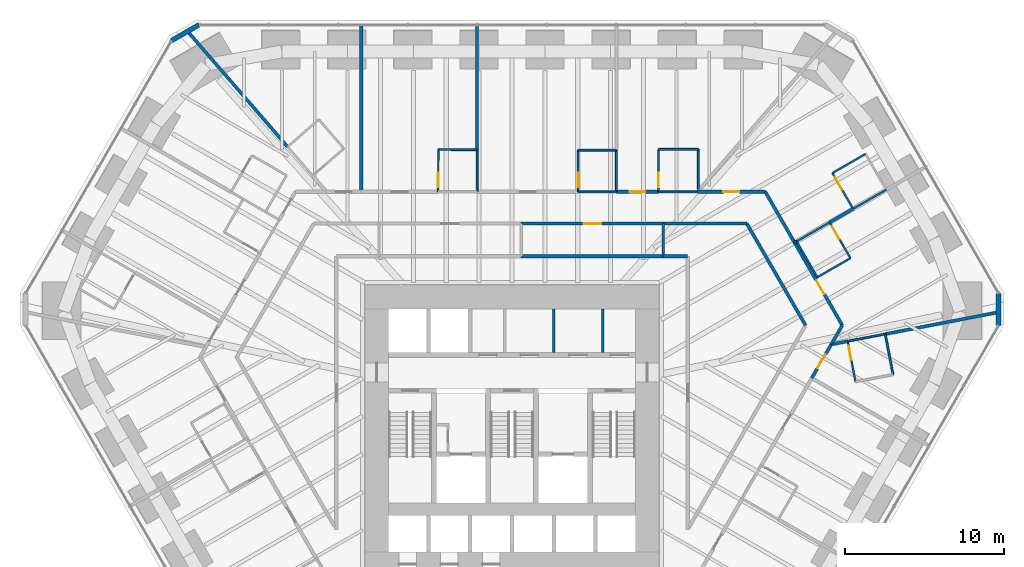
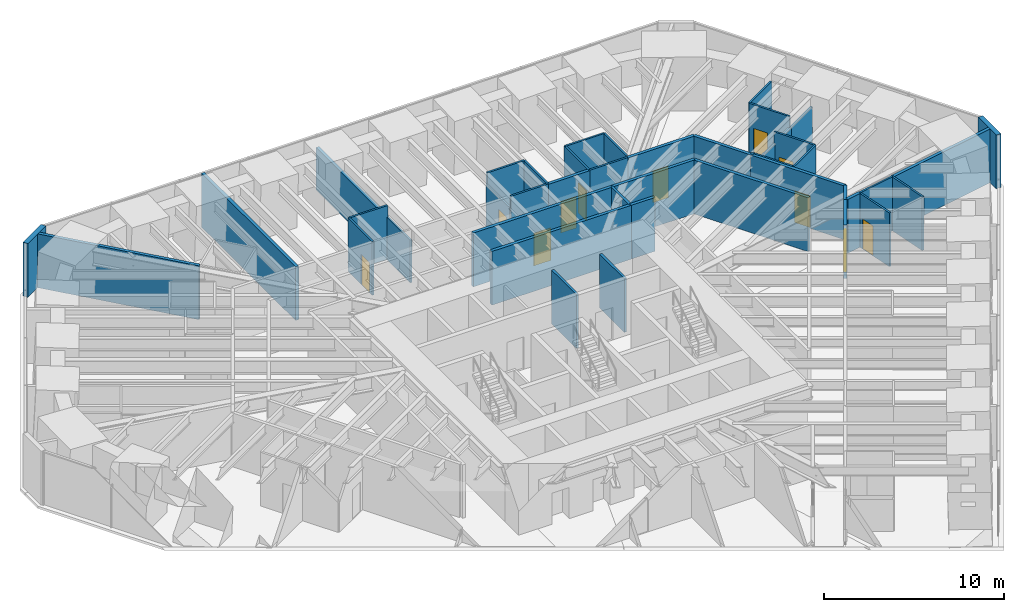
# One storey, part 15 of 17: 44 walls, 11 doors, 11 openings.
"""IFC4 building model written with IfcOpenShell, lengths in metres."""

from ifc_helpers import new_model, si_unit, direction, frame, frame_2d, origin, place, context, subcontext, project, spatial, rectangle, extrude, material, layer, layer_set, type_object, element, fill, save


model = new_model("IFC4")

# Units and contexts
model_context = context("Model", 3, precision=1e-05, world=origin(), true_north=direction((0.0, 1.0)))
body_context = subcontext(model_context, "Body", "Model", "MODEL_VIEW")
ifc_project = project(units=[si_unit("LENGTHUNIT", "METRE"), si_unit("AREAUNIT", "SQUARE_METRE"), si_unit("VOLUMEUNIT", "CUBIC_METRE"), si_unit("PLANEANGLEUNIT", "RADIAN"), si_unit("MASSUNIT", "GRAM", prefix="KILO")], contexts=[model_context])

# Site, building, storey
site_placement = place(None, origin())
site = spatial("IfcSite", under=ifc_project, at=site_placement, CompositionType="ELEMENT")
building_placement = place(site_placement, origin())
building = spatial("IfcBuilding", under=site, at=building_placement, Name="Sandreach Pilgrim Tower", CompositionType="ELEMENT")
storey_placement = place(building_placement, frame((0.0, 0.0, 64.800048828125)))
storey = spatial("IfcBuildingStorey", under=building, at=storey_placement, Name="L15", CompositionType="ELEMENT", Elevation=64.800048828125)

# Walls
ifc_material_1 = material(Name="Gypsum board on steel studs", Category="steel")
ifc_layer_1 = layer(ifc_material_1, 0.14990234375)
ifc_layer_set_1 = layer_set([ifc_layer_1], Name="Back of house wall 150")
wall_type_1 = type_object("IfcWallType", Name="Back of house wall 150", PredefinedType="PARTITIONING", material=ifc_layer_set_1)
wall_1_placement = place(storey_placement, frame((9.510009765625, 11.449951171875, 0.0), z_axis=(0.0, 0.0, 1.0), x_axis=(0.0, -1.0, 0.0)))
element("IfcWall", 1, at=wall_1_placement, inside=storey, type_object=wall_type_1, Name="Back of house wall L15-119", PredefinedType="PARTITIONING", context=body_context, shape_type="SweptSolid", body=[
    extrude(rectangle(XDim=2.050048828125, YDim=0.14990234375, at=frame_2d((1.02490234375, 0.0))), origin(), (0.0, 0.0, 1.0), 3.639892578125),
])
for number, where, z_axis, x_axis, name in (
    (2, (2.625, 3.35009765625, 0.0), (0.0, 0.0, 1.0), (0.0, 1.0, 0.0), "Core room partition L15 2"),
    (3, (5.699951171875, 3.35009765625, 0.0), (0.0, 0.0, 1.0), (0.0, 1.0, 0.0), "Core room partition L15 3"),
):
    element("IfcWall", number, at=place(storey_placement, frame(where, z_axis=z_axis, x_axis=x_axis)), inside=storey, type_object=wall_type_1, Name=name, PredefinedType="PARTITIONING", context=body_context, shape_type="SweptSolid", body=[
        extrude(rectangle(XDim=2.75, YDim=0.14990234375, at=frame_2d((1.375, 0.0))), origin(), (0.0, 0.0, 1.0), 3.639892578125),
    ])

# Wall, opening, door
ifc_material_2 = material(Name="Moisture-resistant gypsum board on steel studs", Category="steel")
ifc_layer_2 = layer(ifc_material_2, 0.1201171875)
ifc_layer_set_2 = layer_set([ifc_layer_2], Name="Bathroom partition 120")
wall_type_2 = type_object("IfcWallType", Name="Bathroom partition 120", PredefinedType="PARTITIONING", material=ifc_layer_set_2)
wall_2_placement = place(storey_placement, frame((-4.6298828125, 16.110107421875, 0.0), z_axis=(0.0, 0.0, 1.0), x_axis=(-0.003762822113, -0.99999292056, 0.0)))
wall_2 = element("IfcWall", 4, at=wall_2_placement, inside=storey, type_object=wall_type_2, Name="Bathroom partition L15-068", PredefinedType="PARTITIONING", context=body_context, shape_type="SweptSolid", body=[
    extrude(rectangle(XDim=2.66015625, YDim=0.1201171875, at=frame_2d((1.330078125, 0.0))), origin(), (0.0, 0.0, 1.0), 3.639892578125),
])
opening_1_placement = place(wall_2_placement, frame((1.4599609375, 0.0, 0.0)))
opening_1 = element("IfcOpeningElement", 5, at=opening_1_placement, cuts=wall_2, Name="Opening D09-02B", PredefinedType="OPENING", context=body_context, shape_type="SweptSolid", body=[
    extrude(rectangle(XDim=0.89990234375, YDim=2.030029296875, at=frame_2d((0.449951171875, 1.01513671875))), frame((0.0, 0.06005859375, 0.0), z_axis=(0.0, -1.0, 0.0), x_axis=(1.0, 0.0, 0.0)), (0.0, 0.0, 1.0), 0.1201171875),
])
ifc_material_3 = material(Name="Timber door, steel frame", Category="steel")
door_type_1 = type_object("IfcDoorType", Name="Bathroom door", OperationType="SINGLE_SWING_LEFT", PredefinedType="DOOR", material=ifc_material_3)
door_1_placement = place(opening_1_placement, origin())
door_1 = element("IfcDoor", 6, at=door_1_placement, inside=storey, type_object=door_type_1, Name="Door 1502B", OperationType="SINGLE_SWING_RIGHT", OverallHeight=2.030029296875, OverallWidth=0.89990234375, PredefinedType="DOOR", context=body_context, shape_type="SweptSolid", body=[
    extrude(rectangle(XDim=0.89990234375, YDim=2.030029296875, at=frame_2d((0.449951171875, 1.01513671875))), frame((0.0, 0.02490234375, 0.0), z_axis=(0.0, -1.0, 0.0), x_axis=(1.0, 0.0, 0.0)), (0.0, 0.0, 1.0), 0.050048828125),
])
fill(opening_1, door_1)

# Walls
wall_3_placement = place(storey_placement, frame((-2.18994140625, 16.10009765625, 0.0), z_axis=(0.0, 0.0, 1.0), x_axis=(-0.999991585011, 0.004102426955, 0.0)))
element("IfcWall", 7, at=wall_3_placement, inside=storey, type_object=wall_type_2, Name="Bathroom partition L15-080", PredefinedType="PARTITIONING", context=body_context, shape_type="SweptSolid", body=[
    extrude(rectangle(XDim=2.43994140625, YDim=0.1201171875, at=frame_2d((1.219970703125, 0.0))), origin(), (0.0, 0.0, 1.0), 3.639892578125),
])
wall_4_placement = place(storey_placement, frame((-2.18994140625, 16.10009765625, 0.0), z_axis=(0.0, 0.0, 1.0), x_axis=(0.0, -1.0, 0.0)))
element("IfcWall", 8, at=wall_4_placement, inside=storey, type_object=wall_type_2, Name="Bathroom partition L15-081", PredefinedType="PARTITIONING", context=body_context, shape_type="SweptSolid", body=[
    extrude(rectangle(XDim=2.650146484375, YDim=0.1201171875, at=frame_2d((1.3251953125, 0.0))), origin(), (0.0, 0.0, 1.0), 2.8779296875),
])

# Wall, opening, door
wall_5_placement = place(storey_placement, frame((4.159912109375, 16.070068359375, 0.0), z_axis=(0.0, 0.0, 1.0), x_axis=(0.0, -1.0, 0.0)))
wall_5 = element("IfcWall", 9, at=wall_5_placement, inside=storey, type_object=wall_type_2, Name="Bathroom partition L15-096", PredefinedType="PARTITIONING", context=body_context, shape_type="SweptSolid", body=[
    extrude(rectangle(XDim=2.6201171875, YDim=0.1201171875, at=frame_2d((1.31005859375, 0.0))), origin(), (0.0, 0.0, 1.0), 2.8779296875),
])
opening_2_placement = place(wall_5_placement, frame((1.419921875, 0.0, 0.0)))
opening_2 = element("IfcOpeningElement", 10, at=opening_2_placement, cuts=wall_5, Name="Opening D09-03B", PredefinedType="OPENING", context=body_context, shape_type="SweptSolid", body=[
    extrude(rectangle(XDim=0.89990234375, YDim=2.030029296875, at=frame_2d((0.449951171875, 1.01513671875))), frame((0.0, 0.06005859375, 0.0), z_axis=(0.0, -1.0, 0.0), x_axis=(1.0, 0.0, 0.0)), (0.0, 0.0, 1.0), 0.1201171875),
])
door_2_placement = place(opening_2_placement, origin())
door_2 = element("IfcDoor", 11, at=door_2_placement, inside=storey, type_object=door_type_1, Name="Door 1503B", OperationType="SINGLE_SWING_RIGHT", OverallHeight=2.030029296875, OverallWidth=0.89990234375, PredefinedType="DOOR", context=body_context, shape_type="SweptSolid", body=[
    extrude(rectangle(XDim=0.89990234375, YDim=2.030029296875, at=frame_2d((0.449951171875, 1.01513671875))), frame((0.0, 0.02490234375, 0.0), z_axis=(0.0, -1.0, 0.0), x_axis=(1.0, 0.0, 0.0)), (0.0, 0.0, 1.0), 0.050048828125),
])
fill(opening_2, door_2)

# Walls
for number, where, z_axis, x_axis, name in (
    (12, (6.56005859375, 13.449951171875, 0.0), (0.0, 0.0, 1.0), (-1.0, 0.0, 0.0), "Bathroom partition L15-104"),
    (13, (6.56005859375, 16.070068359375, 0.0), (0.0, 0.0, 1.0), (-1.0, 0.0, 0.0), "Bathroom partition L15-105"),
):
    element("IfcWall", number, at=place(storey_placement, frame(where, z_axis=z_axis, x_axis=x_axis)), inside=storey, type_object=wall_type_2, Name=name, PredefinedType="PARTITIONING", context=body_context, shape_type="SweptSolid", body=[
        extrude(rectangle(XDim=2.400146484375, YDim=0.1201171875, at=frame_2d((1.2001953125, 0.0))), origin(), (0.0, 0.0, 1.0), 3.639892578125),
    ])
wall_6_placement = place(storey_placement, frame((6.56005859375, 16.070068359375, 0.0), z_axis=(0.0, 0.0, 1.0), x_axis=(0.0, -1.0, 0.0)))
element("IfcWall", 14, at=wall_6_placement, inside=storey, type_object=wall_type_2, Name="Bathroom partition L15-106", PredefinedType="PARTITIONING", context=body_context, shape_type="SweptSolid", body=[
    extrude(rectangle(XDim=2.6201171875, YDim=0.1201171875, at=frame_2d((1.31005859375, 0.0))), origin(), (0.0, 0.0, 1.0), 3.639892578125),
])

# Wall, opening, door
wall_7_placement = place(storey_placement, frame((9.2099609375, 16.1201171875, 0.0), z_axis=(0.0, 0.0, 1.0), x_axis=(0.0, -1.0, 0.0)))
wall_7 = element("IfcWall", 15, at=wall_7_placement, inside=storey, type_object=wall_type_2, Name="Bathroom partition L15-117", PredefinedType="PARTITIONING", context=body_context, shape_type="SweptSolid", body=[
    extrude(rectangle(XDim=2.670166015625, YDim=0.1201171875, at=frame_2d((1.3349609375, 0.0))), origin(), (0.0, 0.0, 1.0), 3.639892578125),
])
opening_3_placement = place(wall_7_placement, frame((1.469970703125, 0.0, 0.0)))
opening_3 = element("IfcOpeningElement", 16, at=opening_3_placement, cuts=wall_7, Name="Opening D09-04B", PredefinedType="OPENING", context=body_context, shape_type="SweptSolid", body=[
    extrude(rectangle(XDim=0.89990234375, YDim=2.030029296875, at=frame_2d((0.449951171875, 1.01513671875))), frame((0.0, 0.06005859375, 0.0), z_axis=(0.0, -1.0, 0.0), x_axis=(1.0, 0.0, 0.0)), (0.0, 0.0, 1.0), 0.1201171875),
])
door_3_placement = place(opening_3_placement, origin())
door_3 = element("IfcDoor", 17, at=door_3_placement, inside=storey, type_object=door_type_1, Name="Door 1504B", OperationType="SINGLE_SWING_RIGHT", OverallHeight=2.030029296875, OverallWidth=0.89990234375, PredefinedType="DOOR", context=body_context, shape_type="SweptSolid", body=[
    extrude(rectangle(XDim=0.89990234375, YDim=2.030029296875, at=frame_2d((0.449951171875, 1.01513671875))), frame((0.0, 0.02490234375, 0.0), z_axis=(0.0, -1.0, 0.0), x_axis=(1.0, 0.0, 0.0)), (0.0, 0.0, 1.0), 0.050048828125),
])
fill(opening_3, door_3)

# Walls
wall_8_placement = place(storey_placement, frame((11.64990234375, 13.449951171875, 0.0), z_axis=(0.0, 0.0, 1.0), x_axis=(-1.0, 0.0, 0.0)))
element("IfcWall", 18, at=wall_8_placement, inside=storey, type_object=wall_type_2, Name="Bathroom partition L15-128", PredefinedType="PARTITIONING", context=body_context, shape_type="SweptSolid", body=[
    extrude(rectangle(XDim=2.43994140625, YDim=0.1201171875, at=frame_2d((1.219970703125, 0.0))), origin(), (0.0, 0.0, 1.0), 3.639892578125),
])
wall_9_placement = place(storey_placement, frame((11.7099609375, 13.60498046875, 0.0), z_axis=(0.0, 0.0, 1.0), x_axis=(0.0, 1.0, 0.0)))
element("IfcWall", 19, at=wall_9_placement, inside=storey, type_object=wall_type_2, Name="Bathroom partition L15-129", PredefinedType="PARTITIONING", context=body_context, shape_type="SweptSolid", body=[
    extrude(rectangle(XDim=2.51513671875, YDim=0.1201171875, at=frame_2d((1.257568359375, 0.0))), origin(), (0.0, 0.0, 1.0), 3.639892578125),
])
wall_10_placement = place(storey_placement, frame((11.7099609375, 16.1201171875, 0.0), z_axis=(0.0, 0.0, 1.0), x_axis=(-1.0, 0.0, 0.0)))
element("IfcWall", 20, at=wall_10_placement, inside=storey, type_object=wall_type_2, Name="Bathroom partition L15-130", PredefinedType="PARTITIONING", context=body_context, shape_type="SweptSolid", body=[
    extrude(rectangle(XDim=2.5, YDim=0.1201171875, at=frame_2d((1.25, 0.0))), origin(), (0.0, 0.0, 1.0), 3.639892578125),
])
wall_11_placement = place(storey_placement, frame((17.887939453125, 10.33349609375, 0.0), z_axis=(0.0, 0.0, 1.0), x_axis=(0.866473201492, 0.499223588281, 0.0)))
element("IfcWall", 21, at=wall_11_placement, inside=storey, type_object=wall_type_2, Name="Bathroom partition L15-145", PredefinedType="PARTITIONING", context=body_context, shape_type="SweptSolid", body=[
    extrude(rectangle(XDim=2.401123046875, YDim=0.1201171875, at=frame_2d((1.20068359375, 0.0))), origin(), (0.0, 0.0, 1.0), 2.860107421875),
])
wall_12_placement = place(storey_placement, frame((17.889892578125, 10.330078125, 0.0), z_axis=(0.0, 0.0, 1.0), x_axis=(0.500291685314, -0.865856933682, 0.0)))
element("IfcWall", 22, at=wall_12_placement, inside=storey, type_object=wall_type_2, Name="Bathroom partition L15-146", PredefinedType="PARTITIONING", context=body_context, shape_type="SweptSolid", body=[
    extrude(rectangle(XDim=2.5986328125, YDim=0.1201171875, at=frame_2d((1.29931640625, 0.0))), origin(), (0.0, 0.0, 1.0), 3.639892578125),
])
wall_13_placement = place(storey_placement, frame((19.18994140625, 8.080078125, 0.0), z_axis=(0.0, 0.0, 1.0), x_axis=(0.866202511239, 0.499693115345, 0.0)))
element("IfcWall", 23, at=wall_13_placement, inside=storey, type_object=wall_type_2, Name="Bathroom partition L15-150", PredefinedType="PARTITIONING", context=body_context, shape_type="SweptSolid", body=[
    extrude(rectangle(XDim=2.4013671875, YDim=0.1201171875, at=frame_2d((1.20068359375, 0.0))), origin(), (0.0, 0.0, 1.0), 3.639892578125),
])

# Wall, opening, door
wall_14_placement = place(storey_placement, frame((20.139892578125, 14.6298828125, 0.0), z_axis=(0.0, 0.0, 1.0), x_axis=(0.500291685314, -0.865856933682, 0.0)))
wall_14 = element("IfcWall", 24, at=wall_14_placement, inside=storey, type_object=wall_type_2, Name="Bathroom partition L15-153", PredefinedType="PARTITIONING", context=body_context, shape_type="SweptSolid", body=[
    extrude(rectangle(XDim=2.5986328125, YDim=0.1201171875, at=frame_2d((1.29931640625, 0.0))), origin(), (0.0, 0.0, 1.0), 3.639892578125),
])
opening_4_placement = place(wall_14_placement, frame((0.300048828125, 0.0, 0.0)))
opening_4 = element("IfcOpeningElement", 25, at=opening_4_placement, cuts=wall_14, Name="Opening D09-05B", PredefinedType="OPENING", context=body_context, shape_type="SweptSolid", body=[
    extrude(rectangle(XDim=0.89990234375, YDim=2.030029296875, at=frame_2d((0.449951171875, 1.01513671875))), frame((0.0, 0.06005859375, 0.0), z_axis=(0.0, -1.0, 0.0), x_axis=(1.0, 0.0, 0.0)), (0.0, 0.0, 1.0), 0.1201171875),
])
door_4_placement = place(opening_4_placement, origin())
door_4 = element("IfcDoor", 26, at=door_4_placement, inside=storey, type_object=door_type_1, Name="Door 1505B", OperationType="SINGLE_SWING_LEFT", OverallHeight=2.030029296875, OverallWidth=0.89990234375, PredefinedType="DOOR", context=body_context, shape_type="SweptSolid", body=[
    extrude(rectangle(XDim=0.89990234375, YDim=2.030029296875, at=frame_2d((0.449951171875, 1.01513671875))), frame((0.0, 0.02490234375, 0.0), z_axis=(0.0, -1.0, 0.0), x_axis=(1.0, 0.0, 0.0)), (0.0, 0.0, 1.0), 0.050048828125),
])
fill(opening_4, door_4)

wall_15_placement = place(storey_placement, frame((21.10009765625, 4.06005859375, 0.0), z_axis=(0.0, 0.0, 1.0), x_axis=(0.188697442844, -0.982035271802, 0.0)))
wall_15 = element("IfcWall", 27, at=wall_15_placement, inside=storey, type_object=wall_type_2, Name="Bathroom partition L15-155", PredefinedType="PARTITIONING", context=body_context, shape_type="SweptSolid", body=[
    extrude(rectangle(XDim=2.5966796875, YDim=0.1201171875, at=frame_2d((1.29833984375, 0.0))), origin(), (0.0, 0.0, 1.0), 3.639892578125),
])
opening_5_placement = place(wall_15_placement, frame((0.300048828125, 0.0, 0.0)))
opening_5 = element("IfcOpeningElement", 28, at=opening_5_placement, cuts=wall_15, Name="Opening D09-07B", PredefinedType="OPENING", context=body_context, shape_type="SweptSolid", body=[
    extrude(rectangle(XDim=0.89990234375, YDim=2.030029296875, at=frame_2d((0.449951171875, 1.01513671875))), frame((0.0, 0.06005859375, 0.0), z_axis=(0.0, -1.0, 0.0), x_axis=(1.0, 0.0, 0.0)), (0.0, 0.0, 1.0), 0.1201171875),
])
door_5_placement = place(opening_5_placement, origin())
door_5 = element("IfcDoor", 29, at=door_5_placement, inside=storey, type_object=door_type_1, Name="Door 1507B", OperationType="SINGLE_SWING_LEFT", OverallHeight=2.030029296875, OverallWidth=0.89990234375, PredefinedType="DOOR", context=body_context, shape_type="SweptSolid", body=[
    extrude(rectangle(XDim=0.89990234375, YDim=2.030029296875, at=frame_2d((0.449951171875, 1.01513671875))), frame((0.0, 0.02490234375, 0.0), z_axis=(0.0, -1.0, 0.0), x_axis=(1.0, 0.0, 0.0)), (0.0, 0.0, 1.0), 0.050048828125),
])
fill(opening_5, door_5)

# Wall
wall_16_placement = place(storey_placement, frame((21.099853515625, 4.06005859375, 0.0), z_axis=(0.0, 0.0, 1.0), x_axis=(0.982307423658, 0.187275533444, 0.0)))
element("IfcWall", 30, at=wall_16_placement, inside=storey, type_object=wall_type_2, Name="Bathroom partition L15-156", PredefinedType="PARTITIONING", context=body_context, shape_type="SweptSolid", body=[
    extrude(rectangle(XDim=2.402587890625, YDim=0.1201171875, at=frame_2d((1.201171875, 0.0))), origin(), (0.0, 0.0, 1.0), 3.639892578125),
])

# Wall, opening, door
wall_17_placement = place(storey_placement, frame((21.27001953125, 9.280029296875, 0.0), z_axis=(0.0, 0.0, 1.0), x_axis=(-0.500291685314, 0.865856933682, 0.0)))
wall_17 = element("IfcWall", 31, at=wall_17_placement, inside=storey, type_object=wall_type_2, Name="Bathroom partition L15-157", PredefinedType="PARTITIONING", context=body_context, shape_type="SweptSolid", body=[
    extrude(rectangle(XDim=2.5986328125, YDim=0.1201171875, at=frame_2d((1.29931640625, 0.0))), origin(), (0.0, 0.0, 1.0), 3.639892578125),
])
opening_6_placement = place(wall_17_placement, frame((1.398681640625, 0.0, 0.0)))
opening_6 = element("IfcOpeningElement", 32, at=opening_6_placement, cuts=wall_17, Name="Opening D09-06B", PredefinedType="OPENING", context=body_context, shape_type="SweptSolid", body=[
    extrude(rectangle(XDim=0.89990234375, YDim=2.030029296875, at=frame_2d((0.449951171875, 1.01513671875))), frame((0.0, 0.06005859375, 0.0), z_axis=(0.0, -1.0, 0.0), x_axis=(1.0, 0.0, 0.0)), (0.0, 0.0, 1.0), 0.1201171875),
])
door_6_placement = place(opening_6_placement, origin())
door_6 = element("IfcDoor", 33, at=door_6_placement, inside=storey, type_object=door_type_1, Name="Door 1506B", OperationType="SINGLE_SWING_RIGHT", OverallHeight=2.030029296875, OverallWidth=0.89990234375, PredefinedType="DOOR", context=body_context, shape_type="SweptSolid", body=[
    extrude(rectangle(XDim=0.89990234375, YDim=2.030029296875, at=frame_2d((0.449951171875, 1.01513671875))), frame((0.0, 0.02490234375, 0.0), z_axis=(0.0, -1.0, 0.0), x_axis=(1.0, 0.0, 0.0)), (0.0, 0.0, 1.0), 0.050048828125),
])
fill(opening_6, door_6)

# Walls
wall_18_placement = place(storey_placement, frame((21.4384765625, 12.3828125, 0.0), z_axis=(0.0, 0.0, 1.0), x_axis=(0.86683819662, 0.498589551516, 0.0)))
element("IfcWall", 34, at=wall_18_placement, inside=storey, type_object=wall_type_2, Name="Bathroom partition L15-158", PredefinedType="PARTITIONING", context=body_context, shape_type="SweptSolid", body=[
    extrude(rectangle(XDim=2.4013671875, YDim=0.1201171875, at=frame_2d((1.20068359375, 0.0))), origin(), (0.0, 0.0, 1.0), 2.860107421875),
])
wall_19_placement = place(storey_placement, frame((22.219970703125, 15.830078125, 0.0), z_axis=(0.0, 0.0, 1.0), x_axis=(-0.866177122335, -0.499737123639, 0.0)))
element("IfcWall", 35, at=wall_19_placement, inside=storey, type_object=wall_type_2, Name="Bathroom partition L15-160", PredefinedType="PARTITIONING", context=body_context, shape_type="SweptSolid", body=[
    extrude(rectangle(XDim=2.401123046875, YDim=0.1201171875, at=frame_2d((1.20068359375, 0.0))), origin(), (0.0, 0.0, 1.0), 3.639892578125),
])
wall_20_placement = place(storey_placement, frame((23.949951171875, 1.9599609375, 0.0), z_axis=(0.0, 0.0, 1.0), x_axis=(-0.188697442844, 0.982035271802, 0.0)))
element("IfcWall", 36, at=wall_20_placement, inside=storey, type_object=wall_type_2, Name="Bathroom partition L15-164", PredefinedType="PARTITIONING", context=body_context, shape_type="SweptSolid", body=[
    extrude(rectangle(XDim=2.5966796875, YDim=0.1201171875, at=frame_2d((1.29833984375, 0.0))), origin(), (0.0, 0.0, 1.0), 3.639892578125),
])

# Wall, opening, door
ifc_material_4 = material(Name="Gypsum board on steel studs, two layers each side", Category="steel")
ifc_layer_3 = layer(ifc_material_4, 0.199951171875)
ifc_layer_set_3 = layer_set([ifc_layer_3], Name="Corridor wall 200")
wall_type_3 = type_object("IfcWallType", Name="Corridor wall 200", PredefinedType="PARTITIONING", material=ifc_layer_set_3)
wall_21_placement = place(storey_placement, frame((0.580078125, 11.449951171875, 0.0), z_axis=(0.0, 0.0, 1.0), x_axis=(1.0, 0.0, 0.0)))
wall_21 = element("IfcWall", 37, at=wall_21_placement, inside=storey, type_object=wall_type_3, Name="Corridor wall L15-091", PredefinedType="PARTITIONING", context=body_context, shape_type="SweptSolid", body=[
    extrude(rectangle(XDim=8.929931640625, YDim=0.199951171875, at=frame_2d((4.46484375, 0.0))), origin(), (0.0, 0.0, 1.0), 3.639892578125),
])
opening_7_placement = place(wall_21_placement, frame((3.9150390625, 0.0, 0.0)))
opening_7 = element("IfcOpeningElement", 38, at=opening_7_placement, cuts=wall_21, Name="Opening D11H-M03", PredefinedType="OPENING", context=body_context, shape_type="SweptSolid", body=[
    extrude(rectangle(XDim=1.10009765625, YDim=2.199951171875, at=frame_2d((0.550048828125, 1.10009765625))), frame((0.0, 0.10009765625, 0.0), z_axis=(0.0, -1.0, 0.0), x_axis=(1.0, 0.0, 0.0)), (0.0, 0.0, 1.0), 0.199951171875),
])
ifc_material_5 = material(Name="Steel door and frame", Category="steel")
door_type_2 = type_object("IfcDoorType", Name="Back of house door", OperationType="SINGLE_SWING_LEFT", PredefinedType="DOOR", material=ifc_material_5)
door_7_placement = place(opening_7_placement, origin())
door_7 = element("IfcDoor", 39, at=door_7_placement, inside=storey, type_object=door_type_2, Name="Door 15M03", OperationType="SINGLE_SWING_LEFT", OverallHeight=2.199951171875, OverallWidth=1.10009765625, PredefinedType="DOOR", context=body_context, shape_type="SweptSolid", body=[
    extrude(rectangle(XDim=1.10009765625, YDim=2.199951171875, at=frame_2d((0.550048828125, 1.10009765625))), frame((0.0, 0.02490234375, 0.0), z_axis=(0.0, -1.0, 0.0), x_axis=(1.0, 0.0, 0.0)), (0.0, 0.0, 1.0), 0.050048828125),
])
fill(opening_7, door_7)

wall_22_placement = place(storey_placement, frame((9.2099609375, 13.449951171875, 0.0), z_axis=(0.0, 0.0, 1.0), x_axis=(-1.0, 0.0, 0.0)))
wall_22 = element("IfcWall", 40, at=wall_22_placement, inside=storey, type_object=wall_type_3, Name="Corridor wall L15-116", PredefinedType="PARTITIONING", context=body_context, shape_type="SweptSolid", body=[
    extrude(rectangle(XDim=2.64990234375, YDim=0.199951171875, at=frame_2d((1.324951171875, 0.0))), origin(), (0.0, 0.0, 1.0), 3.639892578125),
])
opening_8_placement = place(wall_22_placement, frame((0.824951171875, 0.0, 0.0)))
opening_8 = element("IfcOpeningElement", 41, at=opening_8_placement, cuts=wall_22, Name="Opening D10-04", PredefinedType="OPENING", context=body_context, shape_type="SweptSolid", body=[
    extrude(rectangle(XDim=1.0, YDim=2.1298828125, at=frame_2d((0.5, 1.06494140625))), frame((0.0, 0.10009765625, 0.0), z_axis=(0.0, -1.0, 0.0), x_axis=(1.0, 0.0, 0.0)), (0.0, 0.0, 1.0), 0.199951171875),
])
ifc_material_6 = material(Name="Steel door and frame", Category="steel")
door_type_3 = type_object("IfcDoorType", Name="Guest room entry door", OperationType="SINGLE_SWING_LEFT", PredefinedType="DOOR", material=ifc_material_6)
door_8_placement = place(opening_8_placement, origin())
door_8 = element("IfcDoor", 42, at=door_8_placement, inside=storey, type_object=door_type_3, Name="Door 1504", OperationType="SINGLE_SWING_LEFT", OverallHeight=2.1298828125, OverallWidth=1.0, PredefinedType="DOOR", context=body_context, shape_type="SweptSolid", body=[
    extrude(rectangle(XDim=1.0, YDim=2.1298828125, at=frame_2d((0.5, 1.06494140625))), frame((0.0, 0.02490234375, 0.0), z_axis=(0.0, -1.0, 0.0), x_axis=(1.0, 0.0, 0.0)), (0.0, 0.0, 1.0), 0.050048828125),
])
fill(opening_8, door_8)

# Walls
wall_23_placement = place(storey_placement, frame((9.510009765625, 9.39990234375, 0.0), z_axis=(0.0, 0.0, 1.0), x_axis=(-1.0, 0.0, 0.0)))
element("IfcWall", 43, at=wall_23_placement, inside=storey, type_object=wall_type_3, Name="Corridor wall L15-118", PredefinedType="PARTITIONING", context=body_context, shape_type="SweptSolid", body=[
    extrude(rectangle(XDim=8.929931640625, YDim=0.199951171875, at=frame_2d((4.46484375, 0.0))), origin(), (0.0, 0.0, 1.0), 3.639892578125),
])
wall_24_placement = place(storey_placement, frame((9.510009765625, 11.449951171875, 0.0), z_axis=(0.0, 0.0, 1.0), x_axis=(1.0, 0.0, 0.0)))
element("IfcWall", 44, at=wall_24_placement, inside=storey, type_object=wall_type_3, Name="Corridor wall L15-120", PredefinedType="PARTITIONING", context=body_context, shape_type="SweptSolid", body=[
    extrude(rectangle(XDim=5.25, YDim=0.199951171875, at=frame_2d((2.625, 0.0))), origin(), (0.0, 0.0, 1.0), 3.639892578125),
])
wall_25_placement = place(storey_placement, frame((11.0400390625, 9.39990234375, 0.0), z_axis=(0.0, 0.0, 1.0), x_axis=(-1.0, 0.0, 0.0)))
element("IfcWall", 45, at=wall_25_placement, inside=storey, type_object=wall_type_3, Name="Corridor wall L15-125", PredefinedType="PARTITIONING", context=body_context, shape_type="SweptSolid", body=[
    extrude(rectangle(XDim=1.530029296875, YDim=0.199951171875, at=frame_2d((0.76513671875, 0.0))), origin(), (0.0, 0.0, 1.0), 3.639892578125),
])
wall_26_placement = place(storey_placement, frame((14.760009765625, 11.449951171875, 0.0), z_axis=(0.0, 0.0, 1.0), x_axis=(0.500074726567, -0.865982256082, 0.0)))
element("IfcWall", 46, at=wall_26_placement, inside=storey, type_object=wall_type_3, Name="Corridor wall L15-136", PredefinedType="PARTITIONING", context=body_context, shape_type="SweptSolid", body=[
    extrude(rectangle(XDim=7.378662109375, YDim=0.199951171875, at=frame_2d((3.689453125, 0.0))), origin(), (0.0, 0.0, 1.0), 3.639892578125),
])

# Wall, opening, door
wall_27_placement = place(storey_placement, frame((15.919921875, 13.449951171875, 0.0), z_axis=(0.0, 0.0, 1.0), x_axis=(-1.0, 0.0, 0.0)))
wall_27 = element("IfcWall", 47, at=wall_27_placement, inside=storey, type_object=wall_type_3, Name="Corridor wall L15-138", PredefinedType="PARTITIONING", context=body_context, shape_type="SweptSolid", body=[
    extrude(rectangle(XDim=4.27001953125, YDim=0.199951171875, at=frame_2d((2.135009765625, 0.0))), origin(), (0.0, 0.0, 1.0), 3.639892578125),
])
opening_9_placement = place(wall_27_placement, frame((1.635009765625, 0.0, 0.0)))
opening_9 = element("IfcOpeningElement", 48, at=opening_9_placement, cuts=wall_27, Name="Opening D10-05", PredefinedType="OPENING", context=body_context, shape_type="SweptSolid", body=[
    extrude(rectangle(XDim=1.0, YDim=2.1298828125, at=frame_2d((0.5, 1.06494140625))), frame((0.0, 0.10009765625, 0.0), z_axis=(0.0, -1.0, 0.0), x_axis=(1.0, 0.0, 0.0)), (0.0, 0.0, 1.0), 0.199951171875),
])
door_9_placement = place(opening_9_placement, origin())
door_9 = element("IfcDoor", 49, at=door_9_placement, inside=storey, type_object=door_type_3, Name="Door 1505", OperationType="SINGLE_SWING_LEFT", OverallHeight=2.1298828125, OverallWidth=1.0, PredefinedType="DOOR", context=body_context, shape_type="SweptSolid", body=[
    extrude(rectangle(XDim=1.0, YDim=2.1298828125, at=frame_2d((0.5, 1.06494140625))), frame((0.0, 0.02490234375, 0.0), z_axis=(0.0, -1.0, 0.0), x_axis=(1.0, 0.0, 0.0)), (0.0, 0.0, 1.0), 0.050048828125),
])
fill(opening_9, door_9)

# Wall
wall_28_placement = place(storey_placement, frame((15.919921875, 13.449951171875, 0.0), z_axis=(0.0, 0.0, 1.0), x_axis=(0.499668886391, -0.866216487937, 0.0)))
element("IfcWall", 50, at=wall_28_placement, inside=storey, type_object=wall_type_3, Name="Corridor wall L15-139", PredefinedType="PARTITIONING", context=body_context, shape_type="SweptSolid", body=[
    extrude(rectangle(XDim=3.6826171875, YDim=0.199951171875, at=frame_2d((1.84130859375, 0.0))), origin(), (0.0, 0.0, 1.0), 3.639892578125),
])

# Wall, opening, door
wall_29_placement = place(storey_placement, frame((17.760009765625, 10.260009765625, 0.0), z_axis=(0.0, 0.0, 1.0), x_axis=(0.499725974117, -0.866183554908, 0.0)))
wall_29 = element("IfcWall", 51, at=wall_29_placement, inside=storey, type_object=wall_type_3, Name="Corridor wall L15-143", PredefinedType="PARTITIONING", context=body_context, shape_type="SweptSolid", body=[
    extrude(rectangle(XDim=6.003173828125, YDim=0.199951171875, at=frame_2d((3.00146484375, 0.0))), origin(), (0.0, 0.0, 1.0), 3.639892578125),
])
opening_10_placement = place(wall_29_placement, frame((2.75, 0.0, 0.0)))
opening_10 = element("IfcOpeningElement", 52, at=opening_10_placement, cuts=wall_29, Name="Opening D10-06", PredefinedType="OPENING", context=body_context, shape_type="SweptSolid", body=[
    extrude(rectangle(XDim=1.0, YDim=2.1298828125, at=frame_2d((0.5, 1.06494140625))), frame((0.0, 0.10009765625, 0.0), z_axis=(0.0, -1.0, 0.0), x_axis=(1.0, 0.0, 0.0)), (0.0, 0.0, 1.0), 0.199951171875),
])
door_10_placement = place(opening_10_placement, origin())
door_10 = element("IfcDoor", 53, at=door_10_placement, inside=storey, type_object=door_type_3, Name="Door 1506", OperationType="SINGLE_SWING_RIGHT", OverallHeight=2.1298828125, OverallWidth=1.0, PredefinedType="DOOR", context=body_context, shape_type="SweptSolid", body=[
    extrude(rectangle(XDim=1.0, YDim=2.1298828125, at=frame_2d((0.5, 1.06494140625))), frame((0.0, 0.02490234375, 0.0), z_axis=(0.0, -1.0, 0.0), x_axis=(1.0, 0.0, 0.0)), (0.0, 0.0, 1.0), 0.050048828125),
])
fill(opening_10, door_10)

wall_30_placement = place(storey_placement, frame((18.840087890625, 1.739990234375, 0.0), z_axis=(0.0, 0.0, 1.0), x_axis=(0.501813488763, 0.864975850817, 0.0)))
wall_30 = element("IfcWall", 54, at=wall_30_placement, inside=storey, type_object=wall_type_3, Name="Corridor wall L15-149", PredefinedType="PARTITIONING", context=body_context, shape_type="SweptSolid", body=[
    extrude(rectangle(XDim=2.451171875, YDim=0.199951171875, at=frame_2d((1.2255859375, 0.0))), origin(), (0.0, 0.0, 1.0), 3.639892578125),
])
opening_11_placement = place(wall_30_placement, frame((0.7255859375, 0.0, 0.0)))
opening_11 = element("IfcOpeningElement", 55, at=opening_11_placement, cuts=wall_30, Name="Opening D10-07", PredefinedType="OPENING", context=body_context, shape_type="SweptSolid", body=[
    extrude(rectangle(XDim=1.0, YDim=2.1298828125, at=frame_2d((0.5, 1.06494140625))), frame((0.0, 0.10009765625, 0.0), z_axis=(0.0, -1.0, 0.0), x_axis=(1.0, 0.0, 0.0)), (0.0, 0.0, 1.0), 0.199951171875),
])
door_11_placement = place(opening_11_placement, origin())
door_11 = element("IfcDoor", 56, at=door_11_placement, inside=storey, type_object=door_type_3, Name="Door 1507", OperationType="SINGLE_SWING_LEFT", OverallHeight=2.1298828125, OverallWidth=1.0, PredefinedType="DOOR", context=body_context, shape_type="SweptSolid", body=[
    extrude(rectangle(XDim=1.0, YDim=2.1298828125, at=frame_2d((0.5, 1.06494140625))), frame((0.0, 0.02490234375, 0.0), z_axis=(0.0, -1.0, 0.0), x_axis=(1.0, 0.0, 0.0)), (0.0, 0.0, 1.0), 0.050048828125),
])
fill(opening_11, door_11)

# Walls
wall_31_placement = place(storey_placement, frame((20.070068359375, 3.860107421875, 0.0), z_axis=(0.0, 0.0, 1.0), x_axis=(0.49845455473, 0.866915830325, 0.0)))
element("IfcWall", 57, at=wall_31_placement, inside=storey, type_object=wall_type_3, Name="Corridor wall L15-152", PredefinedType="PARTITIONING", context=body_context, shape_type="SweptSolid", body=[
    extrude(rectangle(XDim=1.38427734375, YDim=0.199951171875, at=frame_2d((0.692138671875, 0.0))), origin(), (0.0, 0.0, 1.0), 3.639892578125),
])
ifc_material_7 = material(Name="Double steel stud acoustic wall, gypsum board", Category="steel")
ifc_layer_4 = layer(ifc_material_7, 0.199951171875)
ifc_layer_set_4 = layer_set([ifc_layer_4], Name="Party wall 200")
wall_type_4 = type_object("IfcWallType", Name="Party wall 200", PredefinedType="PARTITIONING", material=ifc_layer_set_4)
wall_32_placement = place(storey_placement, frame((-20.400390625, 23.54736328125, 0.0), z_axis=(0.0, 0.0, 1.0), x_axis=(0.654910244559, -0.755706670323, 0.0)))
element("IfcWall", 58, at=wall_32_placement, inside=storey, type_object=wall_type_4, Name="Party wall L15-010", PredefinedType="PARTITIONING", context=body_context, shape_type="SweptSolid", body=[
    extrude(rectangle(XDim=9.6181640625, YDim=0.199951171875, at=frame_2d((4.80908203125, 0.0))), origin(), (0.0, 0.0, 1.0), 3.639892578125),
])
wall_33_placement = place(storey_placement, frame((-9.47998046875, 23.919921875, 0.0), z_axis=(0.0, 0.0, 1.0), x_axis=(0.0, -1.0, 0.0)))
element("IfcWall", 59, at=wall_33_placement, inside=storey, type_object=wall_type_4, Name="Party wall L15-055", PredefinedType="PARTITIONING", context=body_context, shape_type="SweptSolid", body=[
    extrude(rectangle(XDim=10.4599609375, YDim=0.199951171875, at=frame_2d((5.22998046875, 0.0))), origin(), (0.0, 0.0, 1.0), 3.639892578125),
])
wall_34_placement = place(storey_placement, frame((-2.18994140625, 23.830078125, 0.0), z_axis=(0.0, 0.0, 1.0), x_axis=(0.0, -1.0, 0.0)))
element("IfcWall", 60, at=wall_34_placement, inside=storey, type_object=wall_type_4, Name="Party wall L15-082", PredefinedType="PARTITIONING", context=body_context, shape_type="SweptSolid", body=[
    extrude(rectangle(XDim=7.72998046875, YDim=0.199951171875, at=frame_2d((3.864990234375, 0.0))), origin(), (0.0, 0.0, 1.0), 2.8779296875),
])
wall_35_placement = place(storey_placement, frame((17.77294921875, 10.267578125, 0.0), z_axis=(0.0, 0.0, 1.0), x_axis=(0.867562218799, 0.497328660458, 0.0)))
element("IfcWall", 61, at=wall_35_placement, inside=storey, type_object=wall_type_4, Name="Party wall L15-144", PredefinedType="PARTITIONING", context=body_context, shape_type="SweptSolid", body=[
    extrude(rectangle(XDim=0.132568359375, YDim=0.199951171875, at=frame_2d((0.06640625, 0.0))), origin(), (0.0, 0.0, 1.0), 3.639892578125),
])
wall_36_placement = place(storey_placement, frame((19.969970703125, 11.530029296875, 0.0), z_axis=(0.0, 0.0, 1.0), x_axis=(0.864762765167, 0.502180604942, 0.0)))
element("IfcWall", 62, at=wall_36_placement, inside=storey, type_object=wall_type_4, Name="Party wall L15-151", PredefinedType="PARTITIONING", context=body_context, shape_type="SweptSolid", body=[
    extrude(rectangle(XDim=1.6982421875, YDim=0.199951171875, at=frame_2d((0.84912109375, 0.0))), origin(), (0.0, 0.0, 1.0), 2.860107421875),
])
wall_37_placement = place(storey_placement, frame((20.168212890625, 3.879150390625, 0.0), z_axis=(0.0, 0.0, 1.0), x_axis=(0.981663556765, 0.190621775567, 0.0)))
element("IfcWall", 63, at=wall_37_placement, inside=storey, type_object=wall_type_4, Name="Party wall L15-154", PredefinedType="PARTITIONING", context=body_context, shape_type="SweptSolid", body=[
    extrude(rectangle(XDim=0.948974609375, YDim=0.199951171875, at=frame_2d((0.474609375, 0.0))), origin(), (0.0, 0.0, 1.0), 3.639892578125),
])
wall_38_placement = place(storey_placement, frame((23.4599609375, 4.510009765625, 0.0), z_axis=(0.0, 0.0, 1.0), x_axis=(0.981929870864, 0.189245155035, 0.0)))
element("IfcWall", 64, at=wall_38_placement, inside=storey, type_object=wall_type_4, Name="Party wall L15-161", PredefinedType="PARTITIONING", context=body_context, shape_type="SweptSolid", body=[
    extrude(rectangle(XDim=7.26171875, YDim=0.199951171875, at=frame_2d((3.630859375, 0.0))), origin(), (0.0, 0.0, 1.0), 3.639892578125),
])
ifc_material_8 = material(Name="Terracotta rainscreen on concrete", Category="masonry")
ifc_layer_5 = layer(ifc_material_8, 0.300048828125)
ifc_layer_set_5 = layer_set([ifc_layer_5], Name="Terracotta chamfer pier")
wall_type_5 = type_object("IfcWallType", Name="Terracotta chamfer pier", PredefinedType="SOLIDWALL", material=ifc_layer_set_5)
for number, where, z_axis, x_axis, name in (
    (65, (30.576171875, 7.062255859375, 0.0), (0.0, 0.0, 1.0), (0.0, -1.0, 0.0), "Chamfer pier L15 NE"),
    (66, (-21.404052734375, 22.94873046875, 0.0), (0.0, 0.0, 1.0), (0.866010750942, 0.50002537861, 0.0), "Chamfer pier L15 NW"),
):
    element("IfcWall", number, at=place(storey_placement, frame(where, z_axis=z_axis, x_axis=x_axis)), inside=storey, type_object=wall_type_5, Name=name, PredefinedType="SOLIDWALL", context=body_context, shape_type="SweptSolid", body=[
        extrude(rectangle(XDim=2.0, YDim=0.300048828125, at=frame_2d((1.0, 0.0))), origin(), (0.0, 0.0, 1.0), 3.639892578125),
    ])

save(model, "model.ifc")
